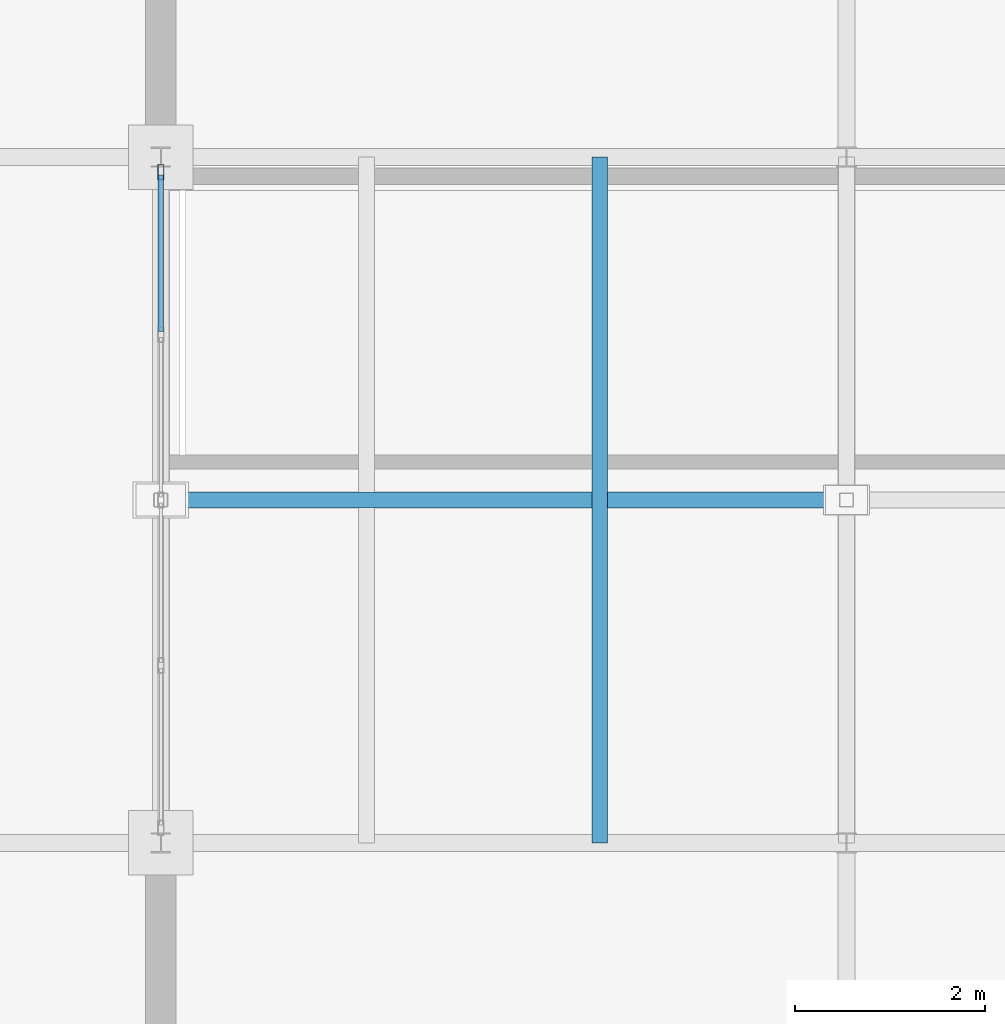
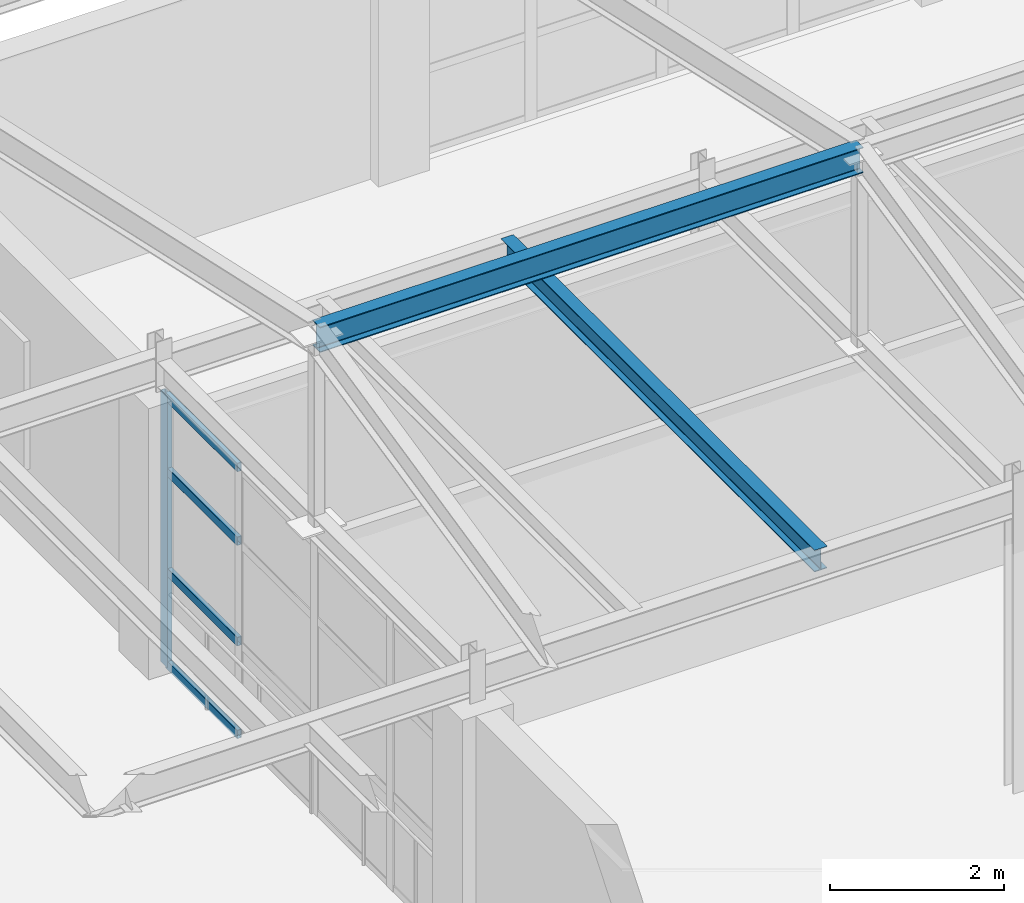
# One storey, part 32 of 101: 5 members, 2 beams, 1 element without a shape of its own.
"""IFC4 building model written with IfcOpenShell, lengths in metres."""

from ifc_helpers import new_model, si_unit, direction, frame, origin, origin_2d, place, context, subcontext, project, spatial, hollow_rectangle, i_section, extrude, material, layer, layer_set, material_profile, profile_set, type_object, element, aggregate, save


model = new_model("IFC4")

# Units and contexts
model_context = context("Model", 3, precision=1e-05, world=origin(), true_north=direction((0.0, 1.0)))
body_context = subcontext(model_context, "Body", "Model", "MODEL_VIEW")
ifc_project = project(units=[si_unit("LENGTHUNIT", "METRE"), si_unit("AREAUNIT", "SQUARE_METRE"), si_unit("VOLUMEUNIT", "CUBIC_METRE"), si_unit("PLANEANGLEUNIT", "RADIAN"), si_unit("MASSUNIT", "GRAM", prefix="KILO")], contexts=[model_context])

# Site, building, storey
site_placement = place(None, origin())
site = spatial("IfcSite", under=ifc_project, at=site_placement, CompositionType="ELEMENT")
building_placement = place(site_placement, origin())
building = spatial("IfcBuilding", under=site, at=building_placement, Name="Kemerveld Promenade Tramway Depot", CompositionType="ELEMENT")
storey_placement = place(building_placement, frame((0.0, 0.0, 9.89990234375)))
storey = spatial("IfcBuildingStorey", under=building, at=storey_placement, Name="L02", CompositionType="ELEMENT", Elevation=9.89990234375)

# Beams
ifc_material_1 = material(Name="Steel S355", Category="steel")
ifc_material_profile_1 = material_profile(ifc_material_1, i_section(OverallWidth=0.172119140625, OverallDepth=0.35791015625, WebThickness=0.008056640625, FlangeThickness=0.012939453125, FilletRadius=0.01025390625, at=origin_2d()), Name="356x171x57 UB")
ifc_profile_set_1 = profile_set([ifc_material_profile_1], Name="Steel S355")
beam_type_1 = type_object("IfcBeamType", Name="BM-G08", PredefinedType="BEAM", material=ifc_profile_set_1)
beam_1_placement = place(storey_placement, frame((57.60009765625, 18.0, 6.67529296875), z_axis=(1.0, 0.0, 0.0), x_axis=(0.0, 1.0, 0.0)))
element("IfcBeam", 1, at=beam_1_placement, inside=storey, type_object=beam_type_1, Name="BM-RDG-V4-1", PredefinedType="BEAM", context=body_context, shape_type="SweptSolid", body=[
    extrude(i_section(OverallWidth=0.172119140625, OverallDepth=0.35791015625, WebThickness=0.008056640625, FlangeThickness=0.012939453125, FilletRadius=0.01025390625, at=origin_2d()), origin(), (0.0, 0.0, 1.0), 7.199951171875),
])
ifc_material_profile_2 = material_profile(ifc_material_1, i_section(OverallWidth=0.165771484375, OverallDepth=0.306640625, WebThickness=0.006591796875, FlangeThickness=0.01171875, FilletRadius=0.0087890625, at=origin_2d()), Name="305x165x46 UB")
ifc_profile_set_2 = profile_set([ifc_material_profile_2], Name="Steel S355")
beam_type_2 = type_object("IfcBeamType", Name="BM-J01", PredefinedType="JOIST", material=ifc_profile_set_2)
beam_2_placement = place(storey_placement, frame((62.2080078125, 14.39990234375, 4.121826171875), z_axis=(0.0, 1.0, 0.0), x_axis=(-1.0, 0.0, 0.0)))
element("IfcBeam", 2, at=beam_2_placement, inside=storey, type_object=beam_type_2, Name="JST-L02-09-C-2", PredefinedType="JOIST", context=body_context, shape_type="SweptSolid", body=[
    extrude(i_section(OverallWidth=0.165771484375, OverallDepth=0.306640625, WebThickness=0.006591796875, FlangeThickness=0.01171875, FilletRadius=0.0087890625, at=origin_2d()), origin(), (0.0, 0.0, 1.0), 7.2001953125),
])

# Curtain wall, members
ifc_material_2 = material(Name="Bronze anodised aluminium and solar glass", Category="aluminium")
ifc_layer = layer(ifc_material_2, 0.159912109375)
ifc_layer_set = layer_set([ifc_layer], Name="CW-SYS-05")
curtain_wall_type = type_object("IfcCurtainWallType", Name="CW-SYS-05", PredefinedType="USERDEFINED", material=ifc_layer_set)
curtain_wall_placement = place(storey_placement, origin())
curtain_wall = element("IfcCurtainWall", 3, at=curtain_wall_placement, inside=storey, type_object=curtain_wall_type, Name="CW-L02-V4W-02", ObjectType="GLAZED_CURTAIN_WALL", PredefinedType="USERDEFINED")
ifc_material_3 = material(Name="Bronze anodised aluminium", Category="aluminium")
ifc_material_profile_3 = material_profile(ifc_material_3, hollow_rectangle(XDim=0.06494140625, YDim=0.159912109375, WallThickness=0.00390625, InnerFilletRadius=0.001953125, OuterFilletRadius=0.00390625, at=origin_2d()), Name="CW-MUL-160x65")
ifc_profile_set_3 = profile_set([ifc_material_profile_3], Name="Bronze anodised aluminium")
member_type_1 = type_object("IfcMemberType", Name="CW-MUL-A", PredefinedType="MULLION", material=ifc_profile_set_3)
member_1_placement = place(storey_placement, frame((57.60009765625, 21.442626953125, 0.0), z_axis=(0.0, 0.0, 1.0), x_axis=(-1.0, 0.0, 0.0)))
member_1 = element("IfcMember", 4, at=member_1_placement, type_object=member_type_1, Name="CW05 mullion 5", PredefinedType="MULLION", context=body_context, shape_type="SweptSolid", body=[
    extrude(hollow_rectangle(XDim=0.06494140625, YDim=0.159912109375, WallThickness=0.00390625, InnerFilletRadius=0.001953125, OuterFilletRadius=0.00390625, at=origin_2d()), origin(), (0.0, 0.0, 1.0), 3.800048828125),
])
ifc_material_profile_4 = material_profile(ifc_material_3, hollow_rectangle(XDim=0.06005859375, YDim=0.1201171875, WallThickness=0.00390625, InnerFilletRadius=0.001953125, OuterFilletRadius=0.00390625, at=origin_2d()), Name="CW-TRN-120x60")
ifc_profile_set_4 = profile_set([ifc_material_profile_4], Name="Bronze anodised aluminium")
member_type_2 = type_object("IfcMemberType", Name="CW-TRN-A", PredefinedType="USERDEFINED", material=ifc_profile_set_4)
member_2_placement = place(storey_placement, frame((57.60009765625, 19.77001953125, 0.030029296875), z_axis=(0.0, 1.0, 0.0), x_axis=(-1.0, 0.0, 0.0)))
member_2 = element("IfcMember", 5, at=member_2_placement, type_object=member_type_2, Name="CW05 transom 4.1", ObjectType="TRANSOM", PredefinedType="USERDEFINED", context=body_context, shape_type="SweptSolid", body=[
    extrude(hollow_rectangle(XDim=0.06005859375, YDim=0.1201171875, WallThickness=0.00390625, InnerFilletRadius=0.001953125, OuterFilletRadius=0.00390625, at=origin_2d()), origin(), (0.0, 0.0, 1.0), 1.64013671875),
])
member_3_placement = place(storey_placement, frame((57.60009765625, 19.77001953125, 1.330078125), z_axis=(0.0, 1.0, 0.0), x_axis=(-1.0, 0.0, 0.0)))
member_3 = element("IfcMember", 6, at=member_3_placement, type_object=member_type_2, Name="CW05 transom 4.2", ObjectType="TRANSOM", PredefinedType="USERDEFINED", context=body_context, shape_type="SweptSolid", body=[
    extrude(hollow_rectangle(XDim=0.06005859375, YDim=0.1201171875, WallThickness=0.00390625, InnerFilletRadius=0.001953125, OuterFilletRadius=0.00390625, at=origin_2d()), origin(), (0.0, 0.0, 1.0), 1.64013671875),
])
member_4_placement = place(storey_placement, frame((57.60009765625, 19.77001953125, 2.736083984375), z_axis=(0.0, 1.0, 0.0), x_axis=(-1.0, 0.0, 0.0)))
member_4 = element("IfcMember", 7, at=member_4_placement, type_object=member_type_2, Name="CW05 transom 4.3", ObjectType="TRANSOM", PredefinedType="USERDEFINED", context=body_context, shape_type="SweptSolid", body=[
    extrude(hollow_rectangle(XDim=0.06005859375, YDim=0.1201171875, WallThickness=0.00390625, InnerFilletRadius=0.001953125, OuterFilletRadius=0.00390625, at=origin_2d()), origin(), (0.0, 0.0, 1.0), 1.64013671875),
])
member_5_placement = place(storey_placement, frame((57.60009765625, 19.77001953125, 3.77001953125), z_axis=(0.0, 1.0, 0.0), x_axis=(-1.0, 0.0, 0.0)))
member_5 = element("IfcMember", 8, at=member_5_placement, type_object=member_type_2, Name="CW05 transom 4.4", ObjectType="TRANSOM", PredefinedType="USERDEFINED", context=body_context, shape_type="SweptSolid", body=[
    extrude(hollow_rectangle(XDim=0.06005859375, YDim=0.1201171875, WallThickness=0.00390625, InnerFilletRadius=0.001953125, OuterFilletRadius=0.00390625, at=origin_2d()), origin(), (0.0, 0.0, 1.0), 1.64013671875),
])
aggregate(curtain_wall, [member_1, member_2, member_3, member_4, member_5])

save(model, "model.ifc")
